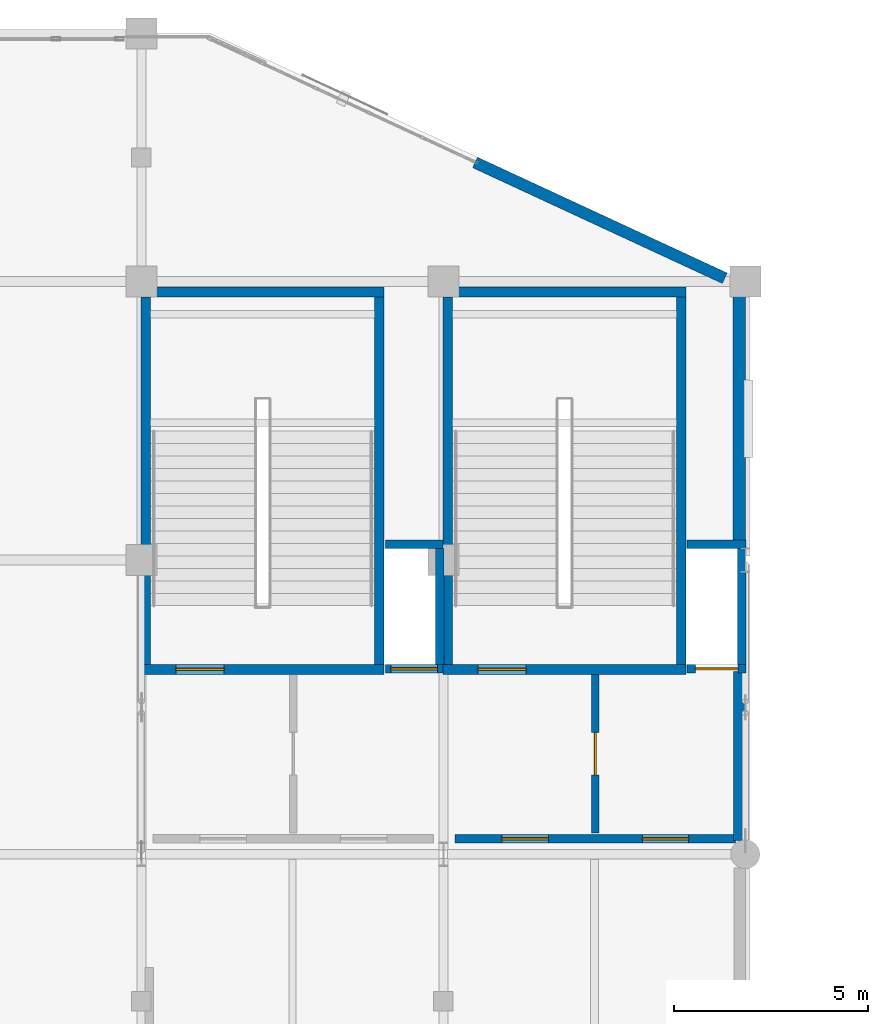
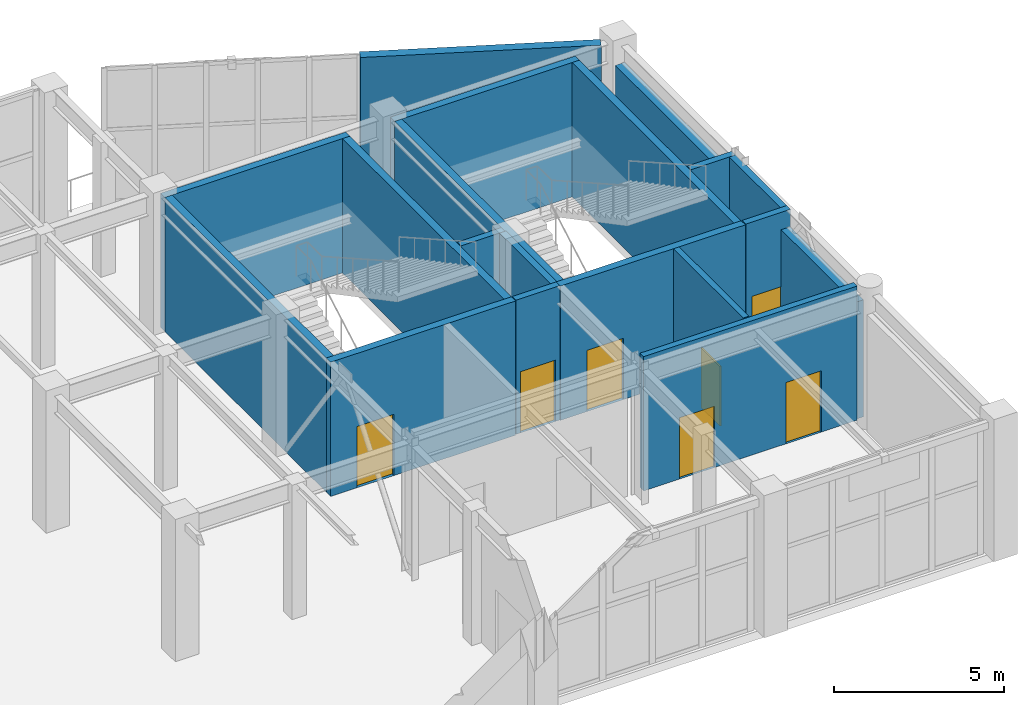
# One storey, part 118 of 128: 19 walls, 7 doors, 7 openings.
"""IFC4 building model written with IfcOpenShell, lengths in metres."""

import ifcopenshell
import ifcopenshell.guid

model = None  # the IFC model being written
_history = None  # IfcOwnerHistory: only IFC2X3 demands one
_inside = {}  # id of a spatial element -> (the spatial element, [elements in it])
_under = {}  # id of a project, library or spatial element -> (it, [spatial elements below it])
_declared = {}  # id of a project -> (the project, [libraries it declares])
_typed = {}  # id of a type object -> (the type object, [elements of that type])
_made_of = {}  # id of a material, layer set ... -> (it, [elements and type objects made of it])


def new_model(schema):
    """Start an empty IFC model of exactly this schema.

    Asked for "IFC4X3", IfcOpenShell would pick the latest addendum, in which some entities
    have other attributes; the version numbers below select the first issue.
    IFC2X3 requires an IfcOwnerHistory on every rooted entity: one is made here for all.
    """
    global model, _history
    if schema == "IFC4X3":
        model = ifcopenshell.file(schema_version=(4, 3, 0, 0))
    else:
        model = ifcopenshell.file(schema=schema)
    _inside.clear()
    _under.clear()
    _declared.clear()
    _typed.clear()
    _made_of.clear()
    _history = None
    if model.schema == "IFC2X3":
        org = make("IfcOrganization", Name="unknown")
        user = make(
            "IfcPersonAndOrganization",
            ThePerson=make("IfcPerson", FamilyName="unknown"),
            TheOrganization=org,
        )
        app = make(
            "IfcApplication",
            ApplicationDeveloper=org,
            Version="unknown",
            ApplicationFullName="unknown",
            ApplicationIdentifier="unknown",
        )
        _history = make(
            "IfcOwnerHistory",
            OwningUser=user,
            OwningApplication=app,
            ChangeAction="ADDED",
            CreationDate=0,
        )
    return model


def make(cls, **values):
    """One entity of the class cls with the attributes given. An attribute that is None is left unset."""
    return model.create_entity(
        cls, **{name: value for name, value in values.items() if value is not None}
    )


def rooted(cls, **values):
    """An entity with a GlobalId (a new one), such as an element, a storey or a relation."""
    return make(cls, GlobalId=ifcopenshell.guid.new(), OwnerHistory=_history, **values)


def si_unit(unit_type, name, prefix=None):
    """IfcSIUnit, for example si_unit("LENGTHUNIT", "METRE", prefix="MILLI")."""
    return make("IfcSIUnit", UnitType=unit_type, Prefix=prefix, Name=name)


def assignment(units):
    """IfcUnitAssignment: the units of a project."""
    return None if units is None else make("IfcUnitAssignment", Units=units)


def point(xyz):
    """IfcCartesianPoint."""
    return None if xyz is None else make("IfcCartesianPoint", Coordinates=xyz)


def direction(xyz):
    """IfcDirection."""
    return None if xyz is None else make("IfcDirection", DirectionRatios=xyz)


def frame(location, z_axis=None, x_axis=None):
    """IfcAxis2Placement3D, a coordinate frame: its origin and axes. An axis left out is left unset."""
    return make(
        "IfcAxis2Placement3D",
        Location=point(location),
        Axis=direction(z_axis),
        RefDirection=direction(x_axis),
    )


def frame_2d(location, x_axis=None):
    """IfcAxis2Placement2D, a coordinate frame in the plane: its origin and x axis."""
    return make(
        "IfcAxis2Placement2D", Location=point(location), RefDirection=direction(x_axis)
    )


def origin():
    """The frame at (0, 0, 0) with its axes left unset."""
    return frame((0.0, 0.0, 0.0))


def place(relative_to, where):
    """IfcLocalPlacement: puts the frame where relative to a parent placement (None: the world)."""
    return make(
        "IfcLocalPlacement", PlacementRelTo=relative_to, RelativePlacement=where
    )


def context(
    kind, dimensions, precision=None, world=None, true_north=None, identifier=None
):
    """IfcGeometricRepresentationContext, for example the 3D "Model" context."""
    return make(
        "IfcGeometricRepresentationContext",
        ContextIdentifier=identifier,
        ContextType=kind,
        CoordinateSpaceDimension=dimensions,
        Precision=precision,
        WorldCoordinateSystem=world,
        TrueNorth=true_north,
    )


def subcontext(parent, identifier, kind, view, scale=None):
    """IfcGeometricRepresentationSubContext, for example "Body" below "Model"."""
    return make(
        "IfcGeometricRepresentationSubContext",
        ContextIdentifier=identifier,
        ContextType=kind,
        ParentContext=parent,
        TargetScale=scale,
        TargetView=view,
    )


def project(units=None, contexts=None):
    """IfcProject with its units and contexts."""
    return rooted(
        "IfcProject",
        Name="project",
        RepresentationContexts=contexts,
        UnitsInContext=assignment(units),
    )


def spatial(cls, under=None, at=None, **own):
    """A site, building, storey or space (cls), placed at a placement, below another one or the project."""
    s = rooted(cls, ObjectPlacement=at, **own)
    if under is not None:
        _under.setdefault(under.id(), (under, []))[1].append(s)
    return s


def profile(cls, at=None, kind="AREA", **sizes):
    """A parametric profile (cls). Its sizes go by their IFC names, for example OverallWidth=200.0."""
    return make(cls, ProfileType=kind, Position=at, **sizes)


def rectangle(**sizes):
    """IfcRectangleProfileDef."""
    return profile("IfcRectangleProfileDef", **sizes)


def extrude(swept, where, along, depth):
    """IfcExtrudedAreaSolid: the profile swept, set in the frame where, extruded along a direction by depth."""
    return make(
        "IfcExtrudedAreaSolid",
        SweptArea=swept,
        Position=where,
        ExtrudedDirection=direction(along),
        Depth=depth,
    )


def shape(context_of_items, identifier, shape_type, items):
    """IfcShapeRepresentation: the items that make up one representation, for example the "Body"."""
    return make(
        "IfcShapeRepresentation",
        ContextOfItems=context_of_items,
        RepresentationIdentifier=identifier,
        RepresentationType=shape_type,
        Items=items,
    )


def material(Name=None, Category=None):
    """IfcMaterial."""
    return make("IfcMaterial", Name=Name, Category=Category)


def layer(
    of_material, thickness, ventilated=None, Name=None, Category=None, Priority=None
):
    """IfcMaterialLayer: one layer of a wall or slab, of a material (None: an air gap)."""
    return make(
        "IfcMaterialLayer",
        Material=of_material,
        LayerThickness=thickness,
        IsVentilated=ventilated,
        Name=Name,
        Category=Category,
        Priority=Priority,
    )


def layer_set(layers, Name=None):
    """IfcMaterialLayerSet."""
    return make("IfcMaterialLayerSet", MaterialLayers=layers, LayerSetName=Name)


def made_of(thing, what):
    """Note that an element or type object is made of a material, layer set ...; save() writes the relation."""
    if what is not None:
        _made_of.setdefault(what.id(), (what, []))[1].append(thing)
    return thing


def type_object(cls, material=None, **own):
    """A type object (cls), such as IfcWallType, which elements share."""
    return made_of(rooted(cls, **own), material)


def element(
    cls,
    number,
    at=None,
    inside=None,
    cuts=None,
    type_object=None,
    material=None,
    context=None,
    identifier="Body",
    shape_type=None,
    held_by="IfcProductDefinitionShape",
    body=None,
    shapes=None,
    **own,
):
    """One element of the class cls, such as IfcWall. Its Tag is "e" and its number.

    at: its placement. inside: the storey or other place that contains it. cuts: it is an
    opening in that element (IfcRelVoidsElement). A single representation is given by context,
    identifier, shape_type and body (its items); several are given by shapes. held_by: the class
    of the entity that holds the representations. save() writes the other relations.
    """
    e = rooted(cls, Tag="e%d" % number, ObjectPlacement=at, **own)
    if body is not None:
        shapes = [shape(context, identifier, shape_type, body)]
    if shapes is not None:
        e.Representation = make(held_by, Representations=shapes)
    if inside is not None:
        _inside.setdefault(inside.id(), (inside, []))[1].append(e)
    if cuts is not None:
        rooted(
            "IfcRelVoidsElement", RelatingBuildingElement=cuts, RelatedOpeningElement=e
        )
    if type_object is not None:
        _typed.setdefault(type_object.id(), (type_object, []))[1].append(e)
    return made_of(e, material)


def fill(opening, filler):
    """IfcRelFillsElement: the door or window that sits in an opening."""
    return rooted(
        "IfcRelFillsElement",
        RelatingOpeningElement=opening,
        RelatedBuildingElement=filler,
    )


def aggregate(whole, parts):
    """IfcRelAggregates: a whole, such as a stair, and the parts it consists of."""
    return rooted("IfcRelAggregates", RelatingObject=whole, RelatedObjects=parts)


def save(model, path):
    """Write the relations noted so far, then the file.

    IfcRelAggregates (storeys below a building ...), IfcRelContainedInSpatialStructure (elements
    in a storey), IfcRelDefinesByType, IfcRelAssociatesMaterial and IfcRelDeclares: one each for
    every whole, place, type object, material and project.
    """
    for whole, parts in _under.values():
        aggregate(whole, parts)
    for where, things in _inside.values():
        rooted(
            "IfcRelContainedInSpatialStructure",
            RelatedElements=things,
            RelatingStructure=where,
        )
    for kind, things in _typed.values():
        rooted("IfcRelDefinesByType", RelatedObjects=things, RelatingType=kind)
    for what, things in _made_of.values():
        rooted("IfcRelAssociatesMaterial", RelatedObjects=things, RelatingMaterial=what)
    for by, libraries in _declared.values():
        rooted("IfcRelDeclares", RelatingContext=by, RelatedDefinitions=libraries)
    model.write(path)


model = new_model("IFC4")

# Units and contexts
model_context = context("Model", 3, precision=1e-05, world=origin(), true_north=direction((0.0, 1.0)))
body_context = subcontext(model_context, "Body", "Model", "MODEL_VIEW")
ifc_project = project(units=[si_unit("LENGTHUNIT", "METRE"), si_unit("AREAUNIT", "SQUARE_METRE"), si_unit("VOLUMEUNIT", "CUBIC_METRE"), si_unit("PLANEANGLEUNIT", "RADIAN"), si_unit("MASSUNIT", "GRAM", prefix="KILO")], contexts=[model_context])

# Site, building, storey
site_placement = place(None, origin())
site = spatial("IfcSite", under=ifc_project, at=site_placement, CompositionType="ELEMENT")
building_placement = place(site_placement, origin())
building = spatial("IfcBuilding", under=site, at=building_placement, Name="Xicomal Pleat Aquarium", CompositionType="ELEMENT")
storey_placement = place(building_placement, frame((0.0, 0.0, 5.39990234375)))
storey = spatial("IfcBuildingStorey", under=building, at=storey_placement, Name="L02", CompositionType="ELEMENT", Elevation=5.39990234375)

# Wall, opening, door
ifc_material_1 = material(Name="Concrete C40/50", Category="concrete")
ifc_layer_1 = layer(ifc_material_1, 0.219970703125)
ifc_layer_set_1 = layer_set([ifc_layer_1], Name="Concrete C40/50")
wall_type_1 = type_object("IfcWallType", Name="WAL-COR-220", PredefinedType="SHEAR", material=ifc_layer_set_1)
wall_1_placement = place(storey_placement, frame((147.89990234375, 88.389892578125, 0.0), z_axis=(0.0, 0.0, 1.0), x_axis=(1.0, 0.0, 0.0)))
wall_1 = element("IfcWall", 1, at=wall_1_placement, inside=storey, type_object=wall_type_1, Name="L02 LF-05 lift shaft wall CW-L02-C5-LS", PredefinedType="SHEAR", context=body_context, shape_type="SweptSolid", body=[
    extrude(rectangle(XDim=1.489990234375, YDim=0.219970703125, at=frame_2d((0.7451171875, 0.0))), origin(), (0.0, 0.0, 1.0), 4.820068359375),
])
opening_1_placement = place(wall_1_placement, frame((0.14501953125, 0.0, 0.0)))
opening_1 = element("IfcOpeningElement", 2, at=opening_1_placement, cuts=wall_1, Name="Opening LD-05-L02", PredefinedType="OPENING", context=body_context, shape_type="SweptSolid", body=[
    extrude(rectangle(XDim=1.199951171875, YDim=2.199951171875, at=frame_2d((0.60009765625, 1.10009765625))), frame((0.0, 0.119873046875, 0.0), z_axis=(0.0, -1.0, 0.0), x_axis=(1.0, 0.0, 0.0)), (0.0, 0.0, 1.0), 0.239990234375),
])
ifc_material_2 = material(Name="Brushed stainless steel 304", Category="steel")
door_type_1 = type_object("IfcDoorType", Name="DOR-LD-1200x2200", OperationType="DOUBLE_DOOR_SLIDING", PredefinedType="DOOR", material=ifc_material_2)
door_1_placement = place(opening_1_placement, origin())
door_1 = element("IfcDoor", 3, at=door_1_placement, inside=storey, type_object=door_type_1, Name="L02 LF-05 sliding lift landing door", OperationType="DOUBLE_DOOR_SLIDING", OverallHeight=2.199951171875, OverallWidth=1.199951171875, PredefinedType="DOOR", context=body_context, shape_type="SweptSolid", body=[
    extrude(rectangle(XDim=1.199951171875, YDim=2.199951171875, at=frame_2d((0.60009765625, 1.10009765625))), frame((0.0, 0.02490234375, 0.0), z_axis=(0.0, -1.0, 0.0), x_axis=(1.0, 0.0, 0.0)), (0.0, 0.0, 1.0), 0.050048828125),
])
fill(opening_1, door_1)

# Walls
wall_2_placement = place(storey_placement, frame((147.89990234375, 91.610107421875, 0.0), z_axis=(0.0, 0.0, 1.0), x_axis=(1.0, 0.0, 0.0)))
element("IfcWall", 4, at=wall_2_placement, inside=storey, type_object=wall_type_1, Name="L02 LF-05 lift shaft wall CW-L02-C5-LN", PredefinedType="SHEAR", context=body_context, shape_type="SweptSolid", body=[
    extrude(rectangle(XDim=1.489990234375, YDim=0.219970703125, at=frame_2d((0.7451171875, 0.0))), origin(), (0.0, 0.0, 1.0), 4.820068359375),
])
wall_3_placement = place(storey_placement, frame((149.31005859375, 88.5, 0.0), z_axis=(0.0, 0.0, 1.0), x_axis=(0.0, 1.0, 0.0)))
element("IfcWall", 5, at=wall_3_placement, inside=storey, type_object=wall_type_1, Name="L02 LF-05 lift shaft wall CW-L02-C5-LE", PredefinedType="SHEAR", context=body_context, shape_type="SweptSolid", body=[
    extrude(rectangle(XDim=3.0, YDim=0.219970703125, at=frame_2d((1.5, 0.0))), origin(), (0.0, 0.0, 1.0), 4.820068359375),
])

# Wall, opening, door
wall_4_placement = place(storey_placement, frame((155.699951171875, 88.389892578125, 0.0), z_axis=(0.0, 0.0, 1.0), x_axis=(1.0, 0.0, 0.0)))
wall_4 = element("IfcWall", 6, at=wall_4_placement, inside=storey, type_object=wall_type_1, Name="L02 LF-06 lift shaft wall CW-L02-C6-LS", PredefinedType="SHEAR", context=body_context, shape_type="SweptSolid", body=[
    extrude(rectangle(XDim=1.52001953125, YDim=0.219970703125, at=frame_2d((0.760009765625, 0.0))), origin(), (0.0, 0.0, 1.0), 4.820068359375),
])
opening_2_placement = place(wall_4_placement, frame((0.2099609375, 0.0, 0.0)))
opening_2 = element("IfcOpeningElement", 7, at=opening_2_placement, cuts=wall_4, Name="Opening LD-06-L02", PredefinedType="OPENING", context=body_context, shape_type="SweptSolid", body=[
    extrude(rectangle(XDim=1.10009765625, YDim=2.14990234375, at=frame_2d((0.550048828125, 1.074951171875))), frame((0.0, 0.119873046875, 0.0), z_axis=(0.0, -1.0, 0.0), x_axis=(1.0, 0.0, 0.0)), (0.0, 0.0, 1.0), 0.239990234375),
])
ifc_material_3 = material(Name="Brushed stainless steel 304", Category="steel")
door_type_2 = type_object("IfcDoorType", Name="DOR-LD-1100x2150", OperationType="DOUBLE_DOOR_SLIDING", PredefinedType="DOOR", material=ifc_material_3)
door_2_placement = place(opening_2_placement, origin())
door_2 = element("IfcDoor", 8, at=door_2_placement, inside=storey, type_object=door_type_2, Name="L02 LF-06 sliding lift landing door", OperationType="DOUBLE_DOOR_SLIDING", OverallHeight=2.14990234375, OverallWidth=1.10009765625, PredefinedType="DOOR", context=body_context, shape_type="SweptSolid", body=[
    extrude(rectangle(XDim=1.10009765625, YDim=2.14990234375, at=frame_2d((0.550048828125, 1.074951171875))), frame((0.0, 0.02490234375, 0.0), z_axis=(0.0, -1.0, 0.0), x_axis=(1.0, 0.0, 0.0)), (0.0, 0.0, 1.0), 0.050048828125),
])
fill(opening_2, door_2)

# Walls
wall_5_placement = place(storey_placement, frame((155.699951171875, 91.610107421875, 0.0), z_axis=(0.0, 0.0, 1.0), x_axis=(1.0, 0.0, 0.0)))
element("IfcWall", 9, at=wall_5_placement, inside=storey, type_object=wall_type_1, Name="L02 LF-06 lift shaft wall CW-L02-C6-LN", PredefinedType="SHEAR", context=body_context, shape_type="SweptSolid", body=[
    extrude(rectangle(XDim=1.52001953125, YDim=0.219970703125, at=frame_2d((0.760009765625, 0.0))), origin(), (0.0, 0.0, 1.0), 4.820068359375),
])
wall_6_placement = place(storey_placement, frame((157.110107421875, 88.5, 0.0), z_axis=(0.0, 0.0, 1.0), x_axis=(0.0, 1.0, 0.0)))
element("IfcWall", 10, at=wall_6_placement, inside=storey, type_object=wall_type_1, Name="L02 LF-06 lift shaft wall CW-L02-C6-LE", PredefinedType="SHEAR", context=body_context, shape_type="SweptSolid", body=[
    extrude(rectangle(XDim=3.0, YDim=0.219970703125, at=frame_2d((1.5, 0.0))), origin(), (0.0, 0.0, 1.0), 4.820068359375),
])

# Wall, opening, door
ifc_material_4 = material(Name="Concrete C40/50", Category="concrete")
ifc_layer_2 = layer(ifc_material_4, 0.25)
ifc_layer_set_2 = layer_set([ifc_layer_2], Name="Concrete C40/50")
wall_type_2 = type_object("IfcWallType", Name="WAL-COR-250", PredefinedType="SHEAR", material=ifc_layer_set_2)
wall_7_placement = place(storey_placement, frame((141.590087890625, 88.375, 0.0), z_axis=(0.0, 0.0, 1.0), x_axis=(1.0, 0.0, 0.0)))
wall_7 = element("IfcWall", 11, at=wall_7_placement, inside=storey, type_object=wall_type_2, Name="L02 CORE-5 stair shear wall CW-L02-C5-SS", PredefinedType="SHEAR", context=body_context, shape_type="SweptSolid", body=[
    extrude(rectangle(XDim=6.280029296875, YDim=0.25, at=frame_2d((3.14013671875, 0.0))), origin(), (0.0, 0.0, 1.0), 4.820068359375),
])
opening_3_placement = place(wall_7_placement, frame((0.89990234375, 0.0, 0.0)))
opening_3 = element("IfcOpeningElement", 12, at=opening_3_placement, cuts=wall_7, Name="Opening SD-05-L02", PredefinedType="OPENING", context=body_context, shape_type="SweptSolid", body=[
    extrude(rectangle(XDim=1.25, YDim=2.199951171875, at=frame_2d((0.625, 1.10009765625))), frame((0.0, 0.135009765625, 0.0), z_axis=(0.0, -1.0, 0.0), x_axis=(1.0, 0.0, 0.0)), (0.0, 0.0, 1.0), 0.27001953125),
])
ifc_material_5 = material(Name="Powder-coated steel fire door", Category="steel")
door_type_3 = type_object("IfcDoorType", Name="DOR-ST-1250x2200", OperationType="NOTDEFINED", PredefinedType="DOOR", material=ifc_material_5)
door_3_placement = place(opening_3_placement, origin())
door_3 = element("IfcDoor", 13, at=door_3_placement, inside=storey, type_object=door_type_3, Name="L02 ST-05 protected stair door", OperationType="SINGLE_SWING_LEFT", OverallHeight=2.199951171875, OverallWidth=1.25, PredefinedType="DOOR", context=body_context, shape_type="SweptSolid", body=[
    extrude(rectangle(XDim=1.25, YDim=2.199951171875, at=frame_2d((0.625, 1.10009765625))), frame((0.0, 0.02490234375, 0.0), z_axis=(0.0, -1.0, 0.0), x_axis=(1.0, 0.0, 0.0)), (0.0, 0.0, 1.0), 0.050048828125),
])
fill(opening_3, door_3)

# Walls
wall_8_placement = place(storey_placement, frame((141.590087890625, 98.125, 0.0), z_axis=(0.0, 0.0, 1.0), x_axis=(1.0, 0.0, 0.0)))
element("IfcWall", 14, at=wall_8_placement, inside=storey, type_object=wall_type_2, Name="L02 CORE-5 stair shear wall CW-L02-C5-SN", PredefinedType="SHEAR", context=body_context, shape_type="SweptSolid", body=[
    extrude(rectangle(XDim=6.280029296875, YDim=0.25, at=frame_2d((3.14013671875, 0.0))), origin(), (0.0, 0.0, 1.0), 4.820068359375),
])
for number, where, z_axis, x_axis, name in (
    (15, (141.715087890625, 88.5, 0.0), (0.0, 0.0, 1.0), (0.0, 1.0, 0.0), "L02 CORE-5 stair shear wall CW-L02-C5-SW"),
    (16, (147.7451171875, 88.5, 0.0), (0.0, 0.0, 1.0), (0.0, 1.0, 0.0), "L02 CORE-5 stair shear wall CW-L02-C5-SE"),
):
    element("IfcWall", number, at=place(storey_placement, frame(where, z_axis=z_axis, x_axis=x_axis)), inside=storey, type_object=wall_type_2, Name=name, PredefinedType="SHEAR", context=body_context, shape_type="SweptSolid", body=[
        extrude(rectangle(XDim=9.5, YDim=0.25, at=frame_2d((4.75, 0.0))), origin(), (0.0, 0.0, 1.0), 4.820068359375),
    ])

# Wall, opening, door
wall_9_placement = place(storey_placement, frame((149.389892578125, 88.375, 0.0), z_axis=(0.0, 0.0, 1.0), x_axis=(1.0, 0.0, 0.0)))
wall_9 = element("IfcWall", 17, at=wall_9_placement, inside=storey, type_object=wall_type_2, Name="L02 CORE-6 stair shear wall CW-L02-C6-SS", PredefinedType="SHEAR", context=body_context, shape_type="SweptSolid", body=[
    extrude(rectangle(XDim=6.280029296875, YDim=0.25, at=frame_2d((3.14013671875, 0.0))), origin(), (0.0, 0.0, 1.0), 4.820068359375),
])
opening_4_placement = place(wall_9_placement, frame((0.89990234375, 0.0, 0.0)))
opening_4 = element("IfcOpeningElement", 18, at=opening_4_placement, cuts=wall_9, Name="Opening SD-06-L02", PredefinedType="OPENING", context=body_context, shape_type="SweptSolid", body=[
    extrude(rectangle(XDim=1.25, YDim=2.199951171875, at=frame_2d((0.625, 1.10009765625))), frame((0.0, 0.135009765625, 0.0), z_axis=(0.0, -1.0, 0.0), x_axis=(1.0, 0.0, 0.0)), (0.0, 0.0, 1.0), 0.27001953125),
])
door_4_placement = place(opening_4_placement, origin())
door_4 = element("IfcDoor", 19, at=door_4_placement, inside=storey, type_object=door_type_3, Name="L02 ST-06 protected stair door", OperationType="SINGLE_SWING_LEFT", OverallHeight=2.199951171875, OverallWidth=1.25, PredefinedType="DOOR", context=body_context, shape_type="SweptSolid", body=[
    extrude(rectangle(XDim=1.25, YDim=2.199951171875, at=frame_2d((0.625, 1.10009765625))), frame((0.0, 0.02490234375, 0.0), z_axis=(0.0, -1.0, 0.0), x_axis=(1.0, 0.0, 0.0)), (0.0, 0.0, 1.0), 0.050048828125),
])
fill(opening_4, door_4)

# Walls
wall_10_placement = place(storey_placement, frame((149.389892578125, 98.125, 0.0), z_axis=(0.0, 0.0, 1.0), x_axis=(1.0, 0.0, 0.0)))
element("IfcWall", 20, at=wall_10_placement, inside=storey, type_object=wall_type_2, Name="L02 CORE-6 stair shear wall CW-L02-C6-SN", PredefinedType="SHEAR", context=body_context, shape_type="SweptSolid", body=[
    extrude(rectangle(XDim=6.280029296875, YDim=0.25, at=frame_2d((3.14013671875, 0.0))), origin(), (0.0, 0.0, 1.0), 4.820068359375),
])
for number, where, z_axis, x_axis, name in (
    (21, (149.514892578125, 88.5, 0.0), (0.0, 0.0, 1.0), (0.0, 1.0, 0.0), "L02 CORE-6 stair shear wall CW-L02-C6-SW"),
    (22, (155.544921875, 88.5, 0.0), (0.0, 0.0, 1.0), (0.0, 1.0, 0.0), "L02 CORE-6 stair shear wall CW-L02-C6-SE"),
):
    element("IfcWall", number, at=place(storey_placement, frame(where, z_axis=z_axis, x_axis=x_axis)), inside=storey, type_object=wall_type_2, Name=name, PredefinedType="SHEAR", context=body_context, shape_type="SweptSolid", body=[
        extrude(rectangle(XDim=9.5, YDim=0.25, at=frame_2d((4.75, 0.0))), origin(), (0.0, 0.0, 1.0), 4.820068359375),
    ])
ifc_material_6 = material(Name="Precast concrete C40/50", Category="concrete")
ifc_layer_3 = layer(ifc_material_6, 0.300048828125)
ifc_layer_set_3 = layer_set([ifc_layer_3], Name="Precast concrete C40/50")
wall_type_3 = type_object("IfcWallType", Name="WAL-EXT-PRC-300", PredefinedType="SOLIDWALL", material=ifc_layer_set_3)
wall_11_placement = place(storey_placement, frame((157.050048828125, 88.320068359375, 0.0), z_axis=(0.0, 0.0, 1.0), x_axis=(0.0, -1.0, 0.0)))
element("IfcWall", 23, at=wall_11_placement, inside=storey, type_object=wall_type_3, Name="L02 exterior basalt-precast wall EW-L02-020", PredefinedType="SOLIDWALL", context=body_context, shape_type="SweptSolid", body=[
    extrude(rectangle(XDim=4.360107421875, YDim=0.300048828125, at=frame_2d((2.18017578125, 0.0))), origin(), (0.0, 0.0, 1.0), 4.197998046875),
])
wall_12_placement = place(storey_placement, frame((150.218994140625, 101.471923828125, 0.0), z_axis=(0.0, 0.0, 1.0), x_axis=(0.90720513909, -0.420688525644, 0.0)))
element("IfcWall", 24, at=wall_12_placement, inside=storey, type_object=wall_type_3, Name="L02 exterior basalt-precast wall EW-L02-033", PredefinedType="SOLIDWALL", context=body_context, shape_type="SweptSolid", body=[
    extrude(rectangle(XDim=7.109619140625, YDim=0.300048828125, at=frame_2d((3.5546875, 0.0))), origin(), (0.0, 0.0, 1.0), 4.820068359375),
])
ifc_material_7 = material(Name="Precast concrete C40/50", Category="concrete")
ifc_layer_4 = layer(ifc_material_7, 0.31201171875)
ifc_layer_set_4 = layer_set([ifc_layer_4], Name="Precast concrete C40/50")
wall_type_4 = type_object("IfcWallType", Name="WAL-EXT-PRC-312", PredefinedType="SOLIDWALL", material=ifc_layer_set_4)
wall_13_placement = place(storey_placement, frame((157.0439453125, 98.014892578125, 0.0), z_axis=(0.0, 0.0, 1.0), x_axis=(0.0, -1.0, 0.0)))
element("IfcWall", 25, at=wall_13_placement, inside=storey, type_object=wall_type_4, Name="L02 exterior basalt-precast wall EW-L02-019", PredefinedType="SOLIDWALL", context=body_context, shape_type="SweptSolid", body=[
    extrude(rectangle(XDim=6.3349609375, YDim=0.31201171875, at=frame_2d((3.16748046875, 0.0))), origin(), (0.0, 0.0, 1.0), 4.197998046875),
])

# Wall, opening, door
ifc_material_8 = material(Name="Acoustic double-stud drywall partition", Category="gypsum")
ifc_layer_5 = layer(ifc_material_8, 0.195068359375)
ifc_layer_set_5 = layer_set([ifc_layer_5], Name="Acoustic double-stud drywall partition")
wall_type_5 = type_object("IfcWallType", Name="WAL-PRT-195", PredefinedType="PARTITIONING", material=ifc_layer_set_5)
wall_14_placement = place(storey_placement, frame((153.324951171875, 84.14990234375, 0.0), z_axis=(0.0, 0.0, 1.0), x_axis=(0.0, 1.0, 0.0)))
wall_14 = element("IfcWall", 26, at=wall_14_placement, inside=storey, type_object=wall_type_5, Name="L02 firefighting lobby smoke divider 6", PredefinedType="PARTITIONING", context=body_context, shape_type="SweptSolid", body=[
    extrude(rectangle(XDim=4.10009765625, YDim=0.195068359375, at=frame_2d((2.050048828125, 0.0))), origin(), (0.0, 0.0, 1.0), 4.820068359375),
])
opening_5_placement = place(wall_14_placement, frame((1.5, 0.0, 0.0)))
opening_5 = element("IfcOpeningElement", 27, at=opening_5_placement, cuts=wall_14, Name="Opening FD-06C-L02", PredefinedType="OPENING", context=body_context, shape_type="SweptSolid", body=[
    extrude(rectangle(XDim=1.10009765625, YDim=2.14990234375, at=frame_2d((0.550048828125, 1.074951171875))), frame((0.0, 0.107421875, 0.0), z_axis=(0.0, -1.0, 0.0), x_axis=(1.0, 0.0, 0.0)), (0.0, 0.0, 1.0), 0.215087890625),
])
ifc_material_9 = material(Name="Powder-coated steel fire door", Category="steel")
door_type_4 = type_object("IfcDoorType", Name="DOR-LAB-1100x2150", OperationType="NOTDEFINED", PredefinedType="DOOR", material=ifc_material_9)
door_5_placement = place(opening_5_placement, origin())
door_5 = element("IfcDoor", 28, at=door_5_placement, inside=storey, type_object=door_type_4, Name="L02 lobby interconnecting fire door 6C", OperationType="SINGLE_SWING_LEFT", OverallHeight=2.14990234375, OverallWidth=1.10009765625, PredefinedType="DOOR", context=body_context, shape_type="SweptSolid", body=[
    extrude(rectangle(XDim=1.10009765625, YDim=2.14990234375, at=frame_2d((0.550048828125, 1.074951171875))), frame((0.0, 0.02490234375, 0.0), z_axis=(0.0, -1.0, 0.0), x_axis=(1.0, 0.0, 0.0)), (0.0, 0.0, 1.0), 0.050048828125),
])
fill(opening_5, door_5)

# Wall, openings, doors
ifc_material_10 = material(Name="Fire-rated gypsum and mineral-wool partition", Category="gypsum")
ifc_layer_6 = layer(ifc_material_10, 0.2099609375)
ifc_layer_set_6 = layer_set([ifc_layer_6], Name="Fire-rated gypsum and mineral-wool partition")
wall_type_6 = type_object("IfcWallType", Name="WAL-PRT-210", PredefinedType="PARTITIONING", material=ifc_layer_set_6)
wall_15_placement = place(storey_placement, frame((149.699951171875, 84.0, 0.0), z_axis=(0.0, 0.0, 1.0), x_axis=(1.0, 0.0, 0.0)))
wall_15 = element("IfcWall", 29, at=wall_15_placement, inside=storey, type_object=wall_type_6, Name="L02 CORE-6 lobby fire enclosure wall", PredefinedType="PARTITIONING", context=body_context, shape_type="SweptSolid", body=[
    extrude(rectangle(XDim=7.25, YDim=0.2099609375, at=frame_2d((3.625, 0.0))), origin(), (0.0, 0.0, 1.0), 4.820068359375),
])
opening_6_placement = place(wall_15_placement, frame((1.2119140625, 0.0, 0.0)))
opening_6 = element("IfcOpeningElement", 30, at=opening_6_placement, cuts=wall_15, Name="Opening FD-06A-L02", PredefinedType="OPENING", context=body_context, shape_type="SweptSolid", body=[
    extrude(rectangle(XDim=1.199951171875, YDim=2.199951171875, at=frame_2d((0.60009765625, 1.10009765625))), frame((0.0, 0.114990234375, 0.0), z_axis=(0.0, -1.0, 0.0), x_axis=(1.0, 0.0, 0.0)), (0.0, 0.0, 1.0), 0.22998046875),
])
opening_7_placement = place(wall_15_placement, frame((4.837890625, 0.0, 0.0)))
opening_7 = element("IfcOpeningElement", 31, at=opening_7_placement, cuts=wall_15, Name="Opening FD-06B-L02", PredefinedType="OPENING", context=body_context, shape_type="SweptSolid", body=[
    extrude(rectangle(XDim=1.199951171875, YDim=2.199951171875, at=frame_2d((0.60009765625, 1.10009765625))), frame((0.0, 0.114990234375, 0.0), z_axis=(0.0, -1.0, 0.0), x_axis=(1.0, 0.0, 0.0)), (0.0, 0.0, 1.0), 0.22998046875),
])
ifc_material_11 = material(Name="Powder-coated steel fire door", Category="steel")
door_type_5 = type_object("IfcDoorType", Name="DOR-FFL-1200x2200", OperationType="NOTDEFINED", PredefinedType="DOOR", material=ifc_material_11)
door_6_placement = place(opening_6_placement, origin())
door_6 = element("IfcDoor", 32, at=door_6_placement, inside=storey, type_object=door_type_5, Name="L02 firefighting lobby door 6A", OperationType="SINGLE_SWING_LEFT", OverallHeight=2.199951171875, OverallWidth=1.199951171875, PredefinedType="DOOR", context=body_context, shape_type="SweptSolid", body=[
    extrude(rectangle(XDim=1.199951171875, YDim=2.199951171875, at=frame_2d((0.60009765625, 1.10009765625))), frame((0.0, 0.02490234375, 0.0), z_axis=(0.0, -1.0, 0.0), x_axis=(1.0, 0.0, 0.0)), (0.0, 0.0, 1.0), 0.050048828125),
])
fill(opening_6, door_6)
door_7_placement = place(opening_7_placement, origin())
door_7 = element("IfcDoor", 33, at=door_7_placement, inside=storey, type_object=door_type_5, Name="L02 lift lobby door 6B", OperationType="SINGLE_SWING_RIGHT", OverallHeight=2.199951171875, OverallWidth=1.199951171875, PredefinedType="DOOR", context=body_context, shape_type="SweptSolid", body=[
    extrude(rectangle(XDim=1.199951171875, YDim=2.199951171875, at=frame_2d((0.60009765625, 1.10009765625))), frame((0.0, 0.02490234375, 0.0), z_axis=(0.0, -1.0, 0.0), x_axis=(1.0, 0.0, 0.0)), (0.0, 0.0, 1.0), 0.050048828125),
])
fill(opening_7, door_7)

save(model, "model.ifc")
